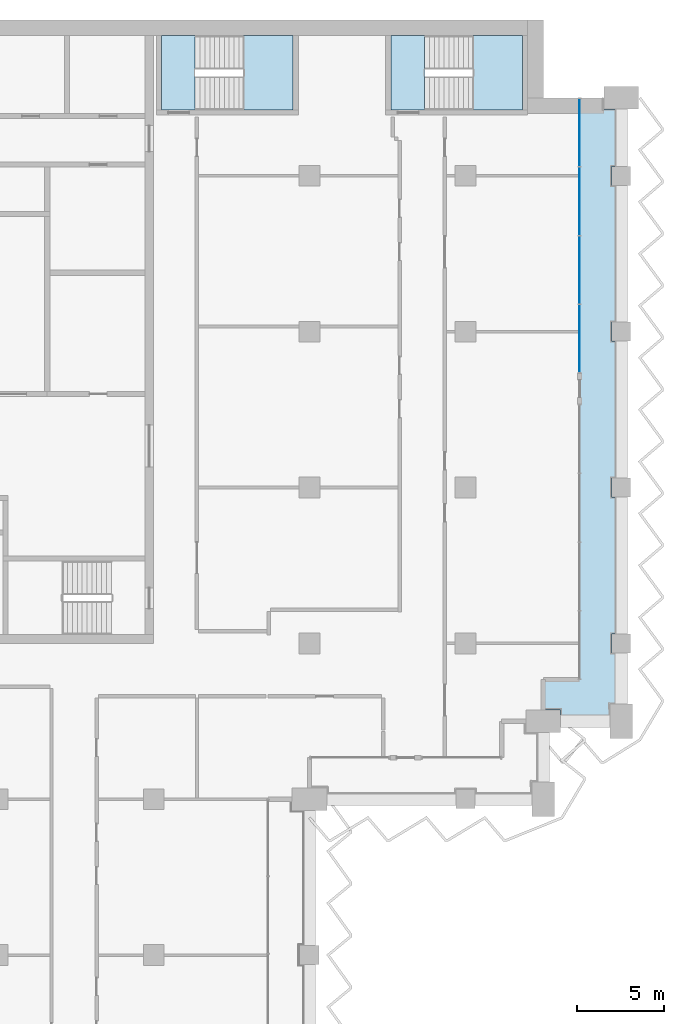
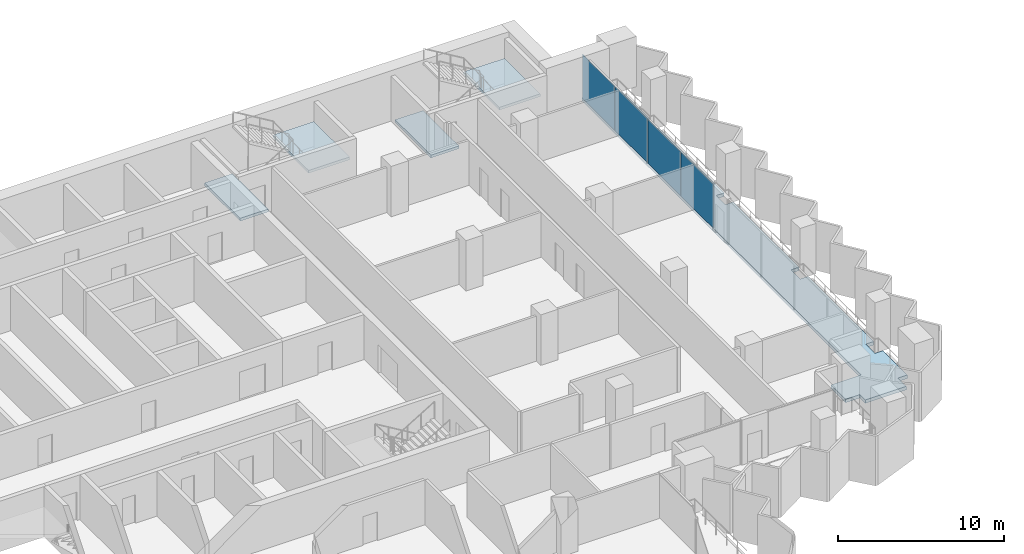
# One storey, part 8 of 23: 5 slabs, 4 plates, 3 elements without a shape of their own.
"""IFC4 building model written with IfcOpenShell, lengths in metres."""

from ifc_helpers import new_model, si_unit, direction, frame, origin, origin_2d, place, context, subcontext, project, spatial, polyline, rectangle, outline, extrude, material, layer, layer_set, type_object, element, aggregate, save


model = new_model("IFC4")

# Units and contexts
model_context = context("Model", 3, precision=1e-05, world=origin(), true_north=direction((0.0, 1.0)))
body_context = subcontext(model_context, "Body", "Model", "MODEL_VIEW")
ifc_project = project(units=[si_unit("LENGTHUNIT", "METRE"), si_unit("AREAUNIT", "SQUARE_METRE"), si_unit("VOLUMEUNIT", "CUBIC_METRE"), si_unit("PLANEANGLEUNIT", "RADIAN"), si_unit("MASSUNIT", "GRAM", prefix="KILO")], contexts=[model_context])

# Site, building, storey
site_placement = place(None, origin())
site = spatial("IfcSite", under=ifc_project, at=site_placement, CompositionType="ELEMENT")
building_placement = place(site_placement, origin())
building = spatial("IfcBuilding", under=site, at=building_placement, Name="Hunhe Ridgeline Campus", CompositionType="ELEMENT")
storey_placement = place(building_placement, frame((0.0, 0.0, 152.300048828125)))
storey = spatial("IfcBuildingStorey", under=building, at=storey_placement, Name="L38", CompositionType="ELEMENT", Elevation=152.300048828125)

# Curtain wall, plates
ifc_material_1 = material(Name="Aluminium 6063", Category="aluminium")
curtain_wall_type = type_object("IfcCurtainWallType", Name="Curtain wall CW-1", PredefinedType="NOTDEFINED", material=ifc_material_1)
curtain_wall_placement = place(storey_placement, origin())
curtain_wall = element("IfcCurtainWall", 1, at=curtain_wall_placement, inside=storey, type_object=curtain_wall_type, Name="Curtain wall 15", PredefinedType="NOTDEFINED")
ifc_material_2 = material(Name="Low-e laminated glass", Category="glass")
ifc_layer_1 = layer(ifc_material_2, 0.028076171875)
ifc_layer_set_1 = layer_set([ifc_layer_1], Name="Curtain wall glass panel 28 low-e laminated")
plate_type = type_object("IfcPlateType", Name="Curtain wall glass panel 28 low-e laminated", PredefinedType="CURTAIN_PANEL", material=ifc_layer_set_1)
plate_1_placement = place(storey_placement, frame((60.59912109375, 80.60302734375, 0.0), z_axis=(0.0, 0.0, 1.0), x_axis=(0.0, 1.0, 0.0)))
plate_1 = element("IfcPlate", 2, at=plate_1_placement, type_object=plate_type, Name="CW-1 panel 1", PredefinedType="CURTAIN_PANEL", context=body_context, shape_type="SweptSolid", body=[
    extrude(rectangle(XDim=3.884765625, YDim=0.028076171875, at=origin_2d()), origin(), (0.0, 0.0, 1.0), 3.239990234375),
])
plate_2_placement = place(storey_placement, frame((60.59912109375, 84.562744140625, 0.0), z_axis=(0.0, 0.0, 1.0), x_axis=(0.0, 1.0, 0.0)))
plate_2 = element("IfcPlate", 3, at=plate_2_placement, type_object=plate_type, Name="CW-1 panel 2", PredefinedType="CURTAIN_PANEL", context=body_context, shape_type="SweptSolid", body=[
    extrude(rectangle(XDim=3.914794921875, YDim=0.028076171875, at=origin_2d()), origin(), (0.0, 0.0, 1.0), 3.239990234375),
])
plate_3_placement = place(storey_placement, frame((60.59912109375, 88.53759765625, 0.0), z_axis=(0.0, 0.0, 1.0), x_axis=(0.0, 1.0, 0.0)))
plate_3 = element("IfcPlate", 4, at=plate_3_placement, type_object=plate_type, Name="CW-1 panel 3", PredefinedType="CURTAIN_PANEL", context=body_context, shape_type="SweptSolid", body=[
    extrude(rectangle(XDim=3.914794921875, YDim=0.028076171875, at=origin_2d()), origin(), (0.0, 0.0, 1.0), 3.239990234375),
])
plate_4_placement = place(storey_placement, frame((60.59912109375, 92.49755859375, 0.0), z_axis=(0.0, 0.0, 1.0), x_axis=(0.0, 1.0, 0.0)))
plate_4 = element("IfcPlate", 5, at=plate_4_placement, type_object=plate_type, Name="CW-1 panel 4", PredefinedType="CURTAIN_PANEL", context=body_context, shape_type="SweptSolid", body=[
    extrude(rectangle(XDim=3.884765625, YDim=0.028076171875, at=origin_2d()), origin(), (0.0, 0.0, 1.0), 3.239990234375),
])
aggregate(curtain_wall, [plate_1, plate_2, plate_3, plate_4])

# Slab
ifc_material_3 = material(Name="Concrete C40", Category="concrete")
ifc_layer_2 = layer(ifc_material_3, 0.25)
ifc_layer_set_2 = layer_set([ifc_layer_2], Name="Loggia slab 250 Concrete C40")
slab_type_1 = type_object("IfcSlabType", Name="Loggia slab 250 Concrete C40", PredefinedType="FLOOR", material=ifc_layer_set_2)
slab_1_placement = place(storey_placement, frame((0.0, 0.0, -0.25)))
element("IfcSlab", 6, at=slab_1_placement, inside=storey, type_object=slab_type_1, Name="Loggia slab 3", PredefinedType="FLOOR", context=body_context, shape_type="SweptSolid", body=[
    extrude(outline(polyline([(58.5, 59.14990234375), (59.5, 59.14990234375), (59.5, 58.5), (62.35009765625, 58.5), (62.35009765625, 59.5), (63.0, 59.5), (63.0, 62.449951171875), (62.449951171875, 62.449951171875), (62.449951171875, 63.550048828125), (63.0, 63.550048828125), (63.0, 71.449951171875), (62.449951171875, 71.449951171875), (62.449951171875, 72.550048828125), (63.0, 72.550048828125), (63.0, 80.449951171875), (62.449951171875, 80.449951171875), (62.449951171875, 81.550048828125), (63.0, 81.550048828125), (63.0, 89.449951171875), (62.449951171875, 89.449951171875), (62.449951171875, 90.550048828125), (63.0, 90.550048828125), (63.0, 93.85009765625), (62.0, 93.85009765625), (62.0, 94.5), (60.60009765625, 94.5), (60.60009765625, 60.89990234375), (58.5, 60.89990234375), (58.5, 59.14990234375)])), origin(), (0.0, 0.0, 1.0), 0.25),
])

# Stair, slab
stair_type = type_object("IfcStairType", Name="Reinforced concrete dog-leg stair 1950 Concrete C40", PredefinedType="HALF_TURN_STAIR", material=ifc_material_3)
stair_1_placement = place(storey_placement, origin())
stair_1 = element("IfcStair", 7, at=stair_1_placement, inside=storey, type_object=stair_type, Name="L38 E1", PredefinedType="HALF_TURN_STAIR")
ifc_layer_3 = layer(ifc_material_3, 0.199951171875)
ifc_layer_set_3 = layer_set([ifc_layer_3], Name="Reinforced concrete stair landing 200 Concrete C40")
slab_type_2 = type_object("IfcSlabType", Name="Reinforced concrete stair landing 200 Concrete C40", PredefinedType="LANDING", material=ifc_layer_set_3)
slab_2_placement = place(storey_placement, frame((0.0, 0.0, 1.64990234375)))
slab_2 = element("IfcSlab", 8, at=slab_2_placement, type_object=slab_type_2, Name="ST5 landing 1", PredefinedType="LANDING", context=body_context, shape_type="SweptSolid", body=[
    extrude(outline(polyline([(41.199951171875, 93.800048828125), (44.050048828125, 93.800048828125), (44.050048828125, 98.10009765625), (41.199951171875, 98.10009765625), (41.199951171875, 93.800048828125)])), origin(), (0.0, 0.0, 1.0), 0.199951171875),
])
aggregate(stair_1, [slab_2])

# Slab
slab_3_placement = place(storey_placement, frame((0.0, 0.0, -0.199951171875)))
element("IfcSlab", 9, at=slab_3_placement, inside=storey, type_object=slab_type_2, Name="L38 stair E1 floor landing", PredefinedType="LANDING", context=body_context, shape_type="SweptSolid", body=[
    extrude(outline(polyline([(36.449951171875, 93.800048828125), (38.39990234375, 93.800048828125), (38.39990234375, 98.10009765625), (36.449951171875, 98.10009765625), (36.449951171875, 93.800048828125)])), origin(), (0.0, 0.0, 1.0), 0.199951171875),
])

# Stair, slab
stair_2_placement = place(storey_placement, origin())
stair_2 = element("IfcStair", 10, at=stair_2_placement, inside=storey, type_object=stair_type, Name="L38 E2", PredefinedType="HALF_TURN_STAIR")
slab_4_placement = place(storey_placement, frame((0.0, 0.0, 1.64990234375)))
slab_4 = element("IfcSlab", 11, at=slab_4_placement, type_object=slab_type_2, Name="ST6 landing 1", PredefinedType="LANDING", context=body_context, shape_type="SweptSolid", body=[
    extrude(outline(polyline([(54.449951171875, 93.800048828125), (57.300048828125, 93.800048828125), (57.300048828125, 98.10009765625), (54.449951171875, 98.10009765625), (54.449951171875, 93.800048828125)])), origin(), (0.0, 0.0, 1.0), 0.199951171875),
])
aggregate(stair_2, [slab_4])

# Slab
slab_5_placement = place(storey_placement, frame((0.0, 0.0, -0.199951171875)))
element("IfcSlab", 12, at=slab_5_placement, inside=storey, type_object=slab_type_2, Name="L38 stair E2 floor landing", PredefinedType="LANDING", context=body_context, shape_type="SweptSolid", body=[
    extrude(outline(polyline([(49.699951171875, 93.800048828125), (51.64990234375, 93.800048828125), (51.64990234375, 98.10009765625), (49.699951171875, 98.10009765625), (49.699951171875, 93.800048828125)])), origin(), (0.0, 0.0, 1.0), 0.199951171875),
])

save(model, "model.ifc")
